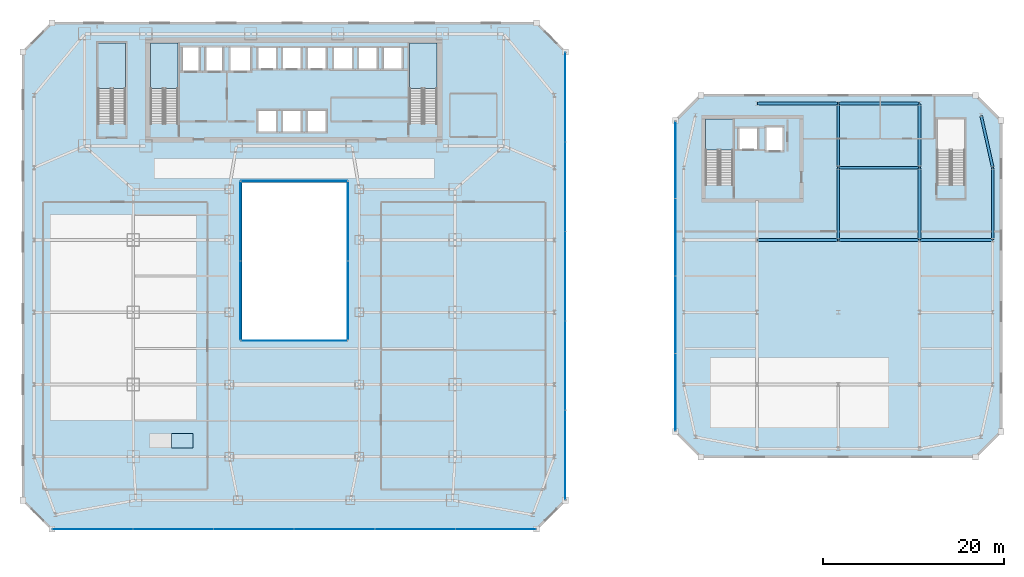
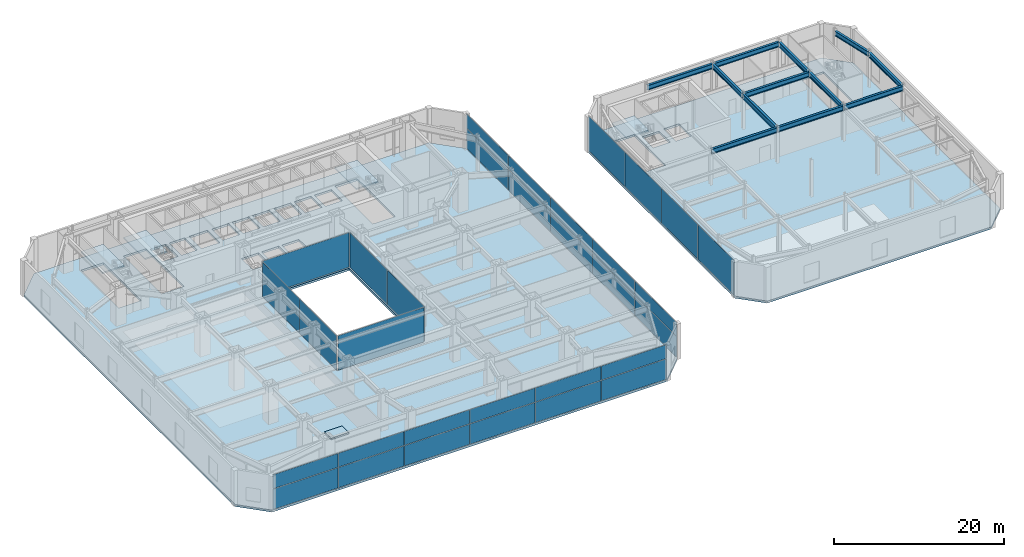
# One storey, part 37 of 51: 32 plates, 12 beams, 7 slabs, 12 elements without a shape of their own.
"""IFC4 building model written with IfcOpenShell, lengths in metres."""

from ifc_helpers import new_model, si_unit, direction, frame, origin, origin_2d, place, context, subcontext, project, spatial, polyline, rectangle, i_section, outline, extrude, material, layer, layer_set, material_profile, profile_set, type_object, element, aggregate, save


model = new_model("IFC4")

# Units and contexts
model_context = context("Model", 3, precision=1e-05, world=origin(), true_north=direction((0.0, 1.0)))
body_context = subcontext(model_context, "Body", "Model", "MODEL_VIEW")
ifc_project = project(units=[si_unit("LENGTHUNIT", "METRE"), si_unit("AREAUNIT", "SQUARE_METRE"), si_unit("VOLUMEUNIT", "CUBIC_METRE"), si_unit("PLANEANGLEUNIT", "RADIAN"), si_unit("MASSUNIT", "GRAM", prefix="KILO")], contexts=[model_context])

# Site, building, storey
site_placement = place(None, origin())
site = spatial("IfcSite", under=ifc_project, at=site_placement, CompositionType="ELEMENT")
building_placement = place(site_placement, origin())
building = spatial("IfcBuilding", under=site, at=building_placement, Name="Saevonmaru Cultural Tower", CompositionType="ELEMENT")
storey_placement = place(building_placement, frame((0.0, 0.0, 6.0)))
storey = spatial("IfcBuildingStorey", under=building, at=storey_placement, Name="L01", CompositionType="ELEMENT", Elevation=6.0)

# Beams
ifc_material_1 = material(Name="Steel SM355", Category="steel")
ifc_material_profile = material_profile(ifc_material_1, i_section(OverallWidth=0.300048828125, OverallDepth=0.699951171875, WebThickness=0.012939453125, FlangeThickness=0.02392578125, FilletRadius=0.02587890625, at=origin_2d()), Name="H-700x300x13x24")
ifc_profile_set = profile_set([ifc_material_profile], Name="Steel SM355")
beam_type = type_object("IfcBeamType", Name="BM-G-H700", PredefinedType="BEAM", material=ifc_profile_set)
for number, where, z_axis, x_axis, name in (
    (1, (81.260009765625, 32.0, 4.75), (1.0, 0.0, 0.0), (0.0, 1.0, 0.0), "L01 Library Girder EW-4-2"),
    (2, (90.260009765625, 32.0, 4.75), (1.0, 0.0, 0.0), (0.0, 1.0, 0.0), "L01 Library Girder EW-4-3"),
):
    element("IfcBeam", number, at=place(storey_placement, frame(where, z_axis=z_axis, x_axis=x_axis)), inside=storey, type_object=beam_type, Name=name, PredefinedType="BEAM", context=body_context, shape_type="SweptSolid", body=[
        extrude(i_section(OverallWidth=0.300048828125, OverallDepth=0.699951171875, WebThickness=0.012939453125, FlangeThickness=0.02392578125, FilletRadius=0.02587890625, at=origin_2d()), origin(), (0.0, 0.0, 1.0), 8.8798828125),
    ])
beam_1_placement = place(storey_placement, frame((99.260009765625, 32.0, 4.75), z_axis=(1.0, 0.0, 0.0), x_axis=(0.0, 1.0, 0.0)))
element("IfcBeam", 3, at=beam_1_placement, inside=storey, type_object=beam_type, Name="L01 Library Girder EW-4-4", PredefinedType="BEAM", context=body_context, shape_type="SweptSolid", body=[
    extrude(i_section(OverallWidth=0.300048828125, OverallDepth=0.699951171875, WebThickness=0.012939453125, FlangeThickness=0.02392578125, FilletRadius=0.02587890625, at=origin_2d()), origin(), (0.0, 0.0, 1.0), 7.97998046875),
])
for number, where, z_axis, x_axis, name in (
    (4, (90.260009765625, 40.0, 4.75), (1.0, 0.0, 0.0), (0.0, 1.0, 0.0), "L01 Library Girder EW-5-3"),
    (5, (81.260009765625, 47.10009765625, 4.75), (1.0, 0.0, 0.0), (0.0, 1.0, 0.0), "L01 Library Girder EW-6-2"),
    (6, (90.260009765625, 47.10009765625, 4.75), (1.0, 0.0, 0.0), (0.0, 1.0, 0.0), "L01 Library Girder EW-6-3"),
):
    element("IfcBeam", number, at=place(storey_placement, frame(where, z_axis=z_axis, x_axis=x_axis)), inside=storey, type_object=beam_type, Name=name, PredefinedType="BEAM", context=body_context, shape_type="SweptSolid", body=[
        extrude(i_section(OverallWidth=0.300048828125, OverallDepth=0.699951171875, WebThickness=0.012939453125, FlangeThickness=0.02392578125, FilletRadius=0.02587890625, at=origin_2d()), origin(), (0.0, 0.0, 1.0), 8.8798828125),
    ])
beam_2_placement = place(storey_placement, frame((90.199951171875, 32.06005859375, 4.75), z_axis=(0.0, 1.0, 0.0), x_axis=(-1.0, 0.0, 0.0)))
element("IfcBeam", 7, at=beam_2_placement, inside=storey, type_object=beam_type, Name="L01 Library Girder NS-3-4", PredefinedType="BEAM", context=body_context, shape_type="SweptSolid", body=[
    extrude(i_section(OverallWidth=0.300048828125, OverallDepth=0.699951171875, WebThickness=0.012939453125, FlangeThickness=0.02392578125, FilletRadius=0.02587890625, at=origin_2d()), origin(), (0.0, 0.0, 1.0), 7.8798828125),
])
beam_3_placement = place(storey_placement, frame((90.199951171875, 40.06005859375, 4.75), z_axis=(0.0, 1.0, 0.0), x_axis=(-1.0, 0.0, 0.0)))
element("IfcBeam", 8, at=beam_3_placement, inside=storey, type_object=beam_type, Name="L01 Library Girder NS-3-5", PredefinedType="BEAM", context=body_context, shape_type="SweptSolid", body=[
    extrude(i_section(OverallWidth=0.300048828125, OverallDepth=0.699951171875, WebThickness=0.012939453125, FlangeThickness=0.02392578125, FilletRadius=0.02587890625, at=origin_2d()), origin(), (0.0, 0.0, 1.0), 6.97998046875),
])
beam_4_placement = place(storey_placement, frame((99.199951171875, 32.06005859375, 4.75), z_axis=(0.0, 1.0, 0.0), x_axis=(-1.0, 0.0, 0.0)))
element("IfcBeam", 9, at=beam_4_placement, inside=storey, type_object=beam_type, Name="L01 Library Girder NS-4-4", PredefinedType="BEAM", context=body_context, shape_type="SweptSolid", body=[
    extrude(i_section(OverallWidth=0.300048828125, OverallDepth=0.699951171875, WebThickness=0.012939453125, FlangeThickness=0.02392578125, FilletRadius=0.02587890625, at=origin_2d()), origin(), (0.0, 0.0, 1.0), 7.8798828125),
])
beam_5_placement = place(storey_placement, frame((99.199951171875, 40.06005859375, 4.75), z_axis=(0.0, 1.0, 0.0), x_axis=(-1.0, 0.0, 0.0)))
element("IfcBeam", 10, at=beam_5_placement, inside=storey, type_object=beam_type, Name="L01 Library Girder NS-4-5", PredefinedType="BEAM", context=body_context, shape_type="SweptSolid", body=[
    extrude(i_section(OverallWidth=0.300048828125, OverallDepth=0.699951171875, WebThickness=0.012939453125, FlangeThickness=0.02392578125, FilletRadius=0.02587890625, at=origin_2d()), origin(), (0.0, 0.0, 1.0), 6.97998046875),
])
beam_6_placement = place(storey_placement, frame((107.300048828125, 32.06005859375, 4.75), z_axis=(0.0, 1.0, 0.0), x_axis=(-1.0, 0.0, 0.0)))
element("IfcBeam", 11, at=beam_6_placement, inside=storey, type_object=beam_type, Name="L01 Library Girder NS-5-4", PredefinedType="BEAM", context=body_context, shape_type="SweptSolid", body=[
    extrude(i_section(OverallWidth=0.300048828125, OverallDepth=0.699951171875, WebThickness=0.012939453125, FlangeThickness=0.02392578125, FilletRadius=0.02587890625, at=origin_2d()), origin(), (0.0, 0.0, 1.0), 7.8798828125),
])
beam_7_placement = place(storey_placement, frame((107.286865234375, 40.05859375, 4.75), z_axis=(-0.218701133908, 0.975791890737, 0.0), x_axis=(-0.975791890737, -0.218701133908, 0.0)))
element("IfcBeam", 12, at=beam_7_placement, inside=storey, type_object=beam_type, Name="L01 Library Girder NS-5-5", PredefinedType="BEAM", context=body_context, shape_type="SweptSolid", body=[
    extrude(i_section(OverallWidth=0.300048828125, OverallDepth=0.699951171875, WebThickness=0.012939453125, FlangeThickness=0.02392578125, FilletRadius=0.02587890625, at=origin_2d()), origin(), (0.0, 0.0, 1.0), 5.82373046875),
])

# Curtain wall, plate
ifc_material_2 = material(Name="Satin Bronze Anodised Aluminium", Category="aluminium")
curtain_wall_type_1 = type_object("IfcCurtainWallType", Name="CW-ATR-GLZ", PredefinedType="NOTDEFINED", material=ifc_material_2)
curtain_wall_1_placement = place(storey_placement, origin())
curtain_wall_1 = element("IfcCurtainWall", 13, at=curtain_wall_1_placement, inside=storey, type_object=curtain_wall_type_1, Name="L01 Vertical Atrium Glazed Smoke Screen 1", PredefinedType="NOTDEFINED")
ifc_material_3 = material(Name="Fire-Rated Laminated Atrium Glass", Category="glass")
ifc_layer_1 = layer(ifc_material_3, 0.031982421875, Name="Fire-Rated Laminated Atrium Glass")
ifc_layer_set_1 = layer_set([ifc_layer_1], Name="Fire-Rated Laminated Atrium Glass")
plate_type_1 = type_object("IfcPlateType", Name="PN-GLZ-ATR-INT", PredefinedType="CURTAIN_PANEL", material=ifc_layer_set_1)
plate_1_placement = place(storey_placement, frame((30.0, 20.85009765625, 0.06689453125), z_axis=(0.0, 0.0, 1.0), x_axis=(1.0, 0.0, 0.0)))
plate_1 = element("IfcPlate", 14, at=plate_1_placement, type_object=plate_type_1, Name="CW-ATR-L01-1 panel 1.1", PredefinedType="CURTAIN_PANEL", context=body_context, shape_type="SweptSolid", body=[
    extrude(rectangle(XDim=11.7109375, YDim=0.031982421875, at=origin_2d()), origin(), (0.0, 0.0, 1.0), 4.966064453125),
])
aggregate(curtain_wall_1, [plate_1])

# Curtain wall, plates
curtain_wall_2_placement = place(storey_placement, origin())
curtain_wall_2 = element("IfcCurtainWall", 15, at=curtain_wall_2_placement, inside=storey, type_object=curtain_wall_type_1, Name="L01 Vertical Atrium Glazed Smoke Screen 2", PredefinedType="NOTDEFINED")
plate_2_placement = place(storey_placement, frame((35.949951171875, 25.294921875, 0.06689453125), z_axis=(0.0, 0.0, 1.0), x_axis=(0.0, 1.0, 0.0)))
plate_2 = element("IfcPlate", 16, at=plate_2_placement, type_object=plate_type_1, Name="CW-ATR-L01-2 panel 1.1", PredefinedType="CURTAIN_PANEL", context=body_context, shape_type="SweptSolid", body=[
    extrude(rectangle(XDim=8.700927734375, YDim=0.031982421875, at=origin_2d()), origin(), (0.0, 0.0, 1.0), 4.966064453125),
])
plate_3_placement = place(storey_placement, frame((35.949951171875, 34.06494140625, 0.06689453125), z_axis=(0.0, 0.0, 1.0), x_axis=(0.0, 1.0, 0.0)))
plate_3 = element("IfcPlate", 17, at=plate_3_placement, type_object=plate_type_1, Name="CW-ATR-L01-2 panel 2.1", PredefinedType="CURTAIN_PANEL", context=body_context, shape_type="SweptSolid", body=[
    extrude(rectangle(XDim=8.700927734375, YDim=0.031982421875, at=origin_2d()), origin(), (0.0, 0.0, 1.0), 4.966064453125),
])
aggregate(curtain_wall_2, [plate_2, plate_3])

# Curtain wall, plate
curtain_wall_3_placement = place(storey_placement, origin())
curtain_wall_3 = element("IfcCurtainWall", 18, at=curtain_wall_3_placement, inside=storey, type_object=curtain_wall_type_1, Name="L01 Vertical Atrium Glazed Smoke Screen 3", PredefinedType="NOTDEFINED")
plate_4_placement = place(storey_placement, frame((30.0, 38.510009765625, 0.06689453125), z_axis=(0.0, 0.0, 1.0), x_axis=(-1.0, 0.0, 0.0)))
plate_4 = element("IfcPlate", 19, at=plate_4_placement, type_object=plate_type_1, Name="CW-ATR-L01-3 panel 1.1", PredefinedType="CURTAIN_PANEL", context=body_context, shape_type="SweptSolid", body=[
    extrude(rectangle(XDim=11.7109375, YDim=0.031982421875, at=origin_2d()), origin(), (0.0, 0.0, 1.0), 4.966064453125),
])
aggregate(curtain_wall_3, [plate_4])

# Curtain wall, plates
curtain_wall_4_placement = place(storey_placement, origin())
curtain_wall_4 = element("IfcCurtainWall", 20, at=curtain_wall_4_placement, inside=storey, type_object=curtain_wall_type_1, Name="L01 Vertical Atrium Glazed Smoke Screen 4", PredefinedType="NOTDEFINED")
plate_5_placement = place(storey_placement, frame((24.050048828125, 34.06494140625, 0.06689453125), z_axis=(0.0, 0.0, 1.0), x_axis=(0.0, -1.0, 0.0)))
plate_5 = element("IfcPlate", 21, at=plate_5_placement, type_object=plate_type_1, Name="CW-ATR-L01-4 panel 1.1", PredefinedType="CURTAIN_PANEL", context=body_context, shape_type="SweptSolid", body=[
    extrude(rectangle(XDim=8.700927734375, YDim=0.031982421875, at=origin_2d()), origin(), (0.0, 0.0, 1.0), 4.966064453125),
])
plate_6_placement = place(storey_placement, frame((24.050048828125, 25.294921875, 0.06689453125), z_axis=(0.0, 0.0, 1.0), x_axis=(0.0, -1.0, 0.0)))
plate_6 = element("IfcPlate", 22, at=plate_6_placement, type_object=plate_type_1, Name="CW-ATR-L01-4 panel 2.1", PredefinedType="CURTAIN_PANEL", context=body_context, shape_type="SweptSolid", body=[
    extrude(rectangle(XDim=8.700927734375, YDim=0.031982421875, at=origin_2d()), origin(), (0.0, 0.0, 1.0), 4.966064453125),
])
aggregate(curtain_wall_4, [plate_5, plate_6])

curtain_wall_type_2 = type_object("IfcCurtainWallType", Name="CW-POD-GLZ", PredefinedType="NOTDEFINED", material=ifc_material_2)
curtain_wall_5_placement = place(storey_placement, origin())
curtain_wall_5 = element("IfcCurtainWall", 23, at=curtain_wall_5_placement, inside=storey, type_object=curtain_wall_type_2, Name="L01 South Grand Foyer Curtain Wall", PredefinedType="NOTDEFINED")
ifc_material_4 = material(Name="Triple Silver Low-E Insulating Glass", Category="glass")
ifc_layer_2 = layer(ifc_material_4, 0.035888671875, Name="Triple Silver Low-E Insulating Glass")
ifc_layer_set_2 = layer_set([ifc_layer_2], Name="Triple Silver Low-E Insulating Glass")
plate_type_2 = type_object("IfcPlateType", Name="PN-GLZ-IGU", PredefinedType="CURTAIN_PANEL", material=ifc_layer_set_2)
plate_7_placement = place(storey_placement, frame((7.716552734375, 0.0, 0.067138671875), z_axis=(0.0, 0.0, 1.0), x_axis=(1.0, 0.0, 0.0)))
plate_7 = element("IfcPlate", 24, at=plate_7_placement, type_object=plate_type_2, Name="CW-POD-S-L01 panel 1.1", PredefinedType="CURTAIN_PANEL", context=body_context, shape_type="SweptSolid", body=[
    extrude(rectangle(XDim=8.84423828125, YDim=0.035888671875, at=origin_2d()), origin(), (0.0, 0.0, 1.0), 2.8984375),
])
plate_8_placement = place(storey_placement, frame((7.716552734375, 0.0, 3.034423828125), z_axis=(0.0, 0.0, 1.0), x_axis=(1.0, 0.0, 0.0)))
plate_8 = element("IfcPlate", 25, at=plate_8_placement, type_object=plate_type_2, Name="CW-POD-S-L01 panel 1.2", PredefinedType="CURTAIN_PANEL", context=body_context, shape_type="SweptSolid", body=[
    extrude(rectangle(XDim=8.84423828125, YDim=0.035888671875, at=origin_2d()), origin(), (0.0, 0.0, 1.0), 1.99853515625),
])
plate_9_placement = place(storey_placement, frame((16.6298828125, 0.0, 0.067138671875), z_axis=(0.0, 0.0, 1.0), x_axis=(1.0, 0.0, 0.0)))
plate_9 = element("IfcPlate", 26, at=plate_9_placement, type_object=plate_type_2, Name="CW-POD-S-L01 panel 2.1", PredefinedType="CURTAIN_PANEL", context=body_context, shape_type="SweptSolid", body=[
    extrude(rectangle(XDim=8.84423828125, YDim=0.035888671875, at=origin_2d()), origin(), (0.0, 0.0, 1.0), 2.8984375),
])
plate_10_placement = place(storey_placement, frame((16.6298828125, 0.0, 3.034423828125), z_axis=(0.0, 0.0, 1.0), x_axis=(1.0, 0.0, 0.0)))
plate_10 = element("IfcPlate", 27, at=plate_10_placement, type_object=plate_type_2, Name="CW-POD-S-L01 panel 2.2", PredefinedType="CURTAIN_PANEL", context=body_context, shape_type="SweptSolid", body=[
    extrude(rectangle(XDim=8.84423828125, YDim=0.035888671875, at=origin_2d()), origin(), (0.0, 0.0, 1.0), 1.99853515625),
])
plate_11_placement = place(storey_placement, frame((25.543212890625, 0.0, 0.067138671875), z_axis=(0.0, 0.0, 1.0), x_axis=(1.0, 0.0, 0.0)))
plate_11 = element("IfcPlate", 28, at=plate_11_placement, type_object=plate_type_2, Name="CW-POD-S-L01 panel 3.1", PredefinedType="CURTAIN_PANEL", context=body_context, shape_type="SweptSolid", body=[
    extrude(rectangle(XDim=8.84423828125, YDim=0.035888671875, at=origin_2d()), origin(), (0.0, 0.0, 1.0), 2.8984375),
])
plate_12_placement = place(storey_placement, frame((25.543212890625, 0.0, 3.034423828125), z_axis=(0.0, 0.0, 1.0), x_axis=(1.0, 0.0, 0.0)))
plate_12 = element("IfcPlate", 29, at=plate_12_placement, type_object=plate_type_2, Name="CW-POD-S-L01 panel 3.2", PredefinedType="CURTAIN_PANEL", context=body_context, shape_type="SweptSolid", body=[
    extrude(rectangle(XDim=8.84423828125, YDim=0.035888671875, at=origin_2d()), origin(), (0.0, 0.0, 1.0), 1.99853515625),
])
plate_13_placement = place(storey_placement, frame((34.456787109375, 0.0, 0.067138671875), z_axis=(0.0, 0.0, 1.0), x_axis=(1.0, 0.0, 0.0)))
plate_13 = element("IfcPlate", 30, at=plate_13_placement, type_object=plate_type_2, Name="CW-POD-S-L01 panel 4.1", PredefinedType="CURTAIN_PANEL", context=body_context, shape_type="SweptSolid", body=[
    extrude(rectangle(XDim=8.84423828125, YDim=0.035888671875, at=origin_2d()), origin(), (0.0, 0.0, 1.0), 2.8984375),
])
plate_14_placement = place(storey_placement, frame((34.456787109375, 0.0, 3.034423828125), z_axis=(0.0, 0.0, 1.0), x_axis=(1.0, 0.0, 0.0)))
plate_14 = element("IfcPlate", 31, at=plate_14_placement, type_object=plate_type_2, Name="CW-POD-S-L01 panel 4.2", PredefinedType="CURTAIN_PANEL", context=body_context, shape_type="SweptSolid", body=[
    extrude(rectangle(XDim=8.84423828125, YDim=0.035888671875, at=origin_2d()), origin(), (0.0, 0.0, 1.0), 1.99853515625),
])
plate_15_placement = place(storey_placement, frame((43.3701171875, 0.0, 0.067138671875), z_axis=(0.0, 0.0, 1.0), x_axis=(1.0, 0.0, 0.0)))
plate_15 = element("IfcPlate", 32, at=plate_15_placement, type_object=plate_type_2, Name="CW-POD-S-L01 panel 5.1", PredefinedType="CURTAIN_PANEL", context=body_context, shape_type="SweptSolid", body=[
    extrude(rectangle(XDim=8.84423828125, YDim=0.035888671875, at=origin_2d()), origin(), (0.0, 0.0, 1.0), 2.8984375),
])
plate_16_placement = place(storey_placement, frame((43.3701171875, 0.0, 3.034423828125), z_axis=(0.0, 0.0, 1.0), x_axis=(1.0, 0.0, 0.0)))
plate_16 = element("IfcPlate", 33, at=plate_16_placement, type_object=plate_type_2, Name="CW-POD-S-L01 panel 5.2", PredefinedType="CURTAIN_PANEL", context=body_context, shape_type="SweptSolid", body=[
    extrude(rectangle(XDim=8.84423828125, YDim=0.035888671875, at=origin_2d()), origin(), (0.0, 0.0, 1.0), 1.99853515625),
])
plate_17_placement = place(storey_placement, frame((52.283447265625, 0.0, 0.067138671875), z_axis=(0.0, 0.0, 1.0), x_axis=(1.0, 0.0, 0.0)))
plate_17 = element("IfcPlate", 34, at=plate_17_placement, type_object=plate_type_2, Name="CW-POD-S-L01 panel 6.1", PredefinedType="CURTAIN_PANEL", context=body_context, shape_type="SweptSolid", body=[
    extrude(rectangle(XDim=8.84423828125, YDim=0.035888671875, at=origin_2d()), origin(), (0.0, 0.0, 1.0), 2.8984375),
])
plate_18_placement = place(storey_placement, frame((52.283447265625, 0.0, 3.034423828125), z_axis=(0.0, 0.0, 1.0), x_axis=(1.0, 0.0, 0.0)))
plate_18 = element("IfcPlate", 35, at=plate_18_placement, type_object=plate_type_2, Name="CW-POD-S-L01 panel 6.2", PredefinedType="CURTAIN_PANEL", context=body_context, shape_type="SweptSolid", body=[
    extrude(rectangle(XDim=8.84423828125, YDim=0.035888671875, at=origin_2d()), origin(), (0.0, 0.0, 1.0), 1.99853515625),
])
aggregate(curtain_wall_5, [plate_7, plate_8, plate_9, plate_10, plate_11, plate_12, plate_13, plate_14, plate_15, plate_16, plate_17, plate_18])

curtain_wall_6_placement = place(storey_placement, origin())
curtain_wall_6 = element("IfcCurtainWall", 36, at=curtain_wall_6_placement, inside=storey, type_object=curtain_wall_type_2, Name="L01 Saevon Plaza Curtain Wall", PredefinedType="NOTDEFINED")
plate_19_placement = place(storey_placement, frame((60.0, 8.2080078125, 0.067138671875), z_axis=(0.0, 0.0, 1.0), x_axis=(0.0, 1.0, 0.0)))
plate_19 = element("IfcPlate", 37, at=plate_19_placement, type_object=plate_type_2, Name="CW-POD-E-L01 panel 1.1", PredefinedType="CURTAIN_PANEL", context=body_context, shape_type="SweptSolid", body=[
    extrude(rectangle(XDim=9.826904296875, YDim=0.035888671875, at=origin_2d()), origin(), (0.0, 0.0, 1.0), 2.8984375),
])
plate_20_placement = place(storey_placement, frame((60.0, 8.2080078125, 3.034423828125), z_axis=(0.0, 0.0, 1.0), x_axis=(0.0, 1.0, 0.0)))
plate_20 = element("IfcPlate", 38, at=plate_20_placement, type_object=plate_type_2, Name="CW-POD-E-L01 panel 1.2", PredefinedType="CURTAIN_PANEL", context=body_context, shape_type="SweptSolid", body=[
    extrude(rectangle(XDim=9.826904296875, YDim=0.035888671875, at=origin_2d()), origin(), (0.0, 0.0, 1.0), 1.99853515625),
])
plate_21_placement = place(storey_placement, frame((60.0, 18.10400390625, 0.067138671875), z_axis=(0.0, 0.0, 1.0), x_axis=(0.0, 1.0, 0.0)))
plate_21 = element("IfcPlate", 39, at=plate_21_placement, type_object=plate_type_2, Name="CW-POD-E-L01 panel 2.1", PredefinedType="CURTAIN_PANEL", context=body_context, shape_type="SweptSolid", body=[
    extrude(rectangle(XDim=9.826904296875, YDim=0.035888671875, at=origin_2d()), origin(), (0.0, 0.0, 1.0), 2.8984375),
])
plate_22_placement = place(storey_placement, frame((60.0, 18.10400390625, 3.034423828125), z_axis=(0.0, 0.0, 1.0), x_axis=(0.0, 1.0, 0.0)))
plate_22 = element("IfcPlate", 40, at=plate_22_placement, type_object=plate_type_2, Name="CW-POD-E-L01 panel 2.2", PredefinedType="CURTAIN_PANEL", context=body_context, shape_type="SweptSolid", body=[
    extrude(rectangle(XDim=9.826904296875, YDim=0.035888671875, at=origin_2d()), origin(), (0.0, 0.0, 1.0), 1.99853515625),
])
plate_23_placement = place(storey_placement, frame((60.0, 28.0, 0.067138671875), z_axis=(0.0, 0.0, 1.0), x_axis=(0.0, 1.0, 0.0)))
plate_23 = element("IfcPlate", 41, at=plate_23_placement, type_object=plate_type_2, Name="CW-POD-E-L01 panel 3.1", PredefinedType="CURTAIN_PANEL", context=body_context, shape_type="SweptSolid", body=[
    extrude(rectangle(XDim=9.826904296875, YDim=0.035888671875, at=origin_2d()), origin(), (0.0, 0.0, 1.0), 2.8984375),
])
plate_24_placement = place(storey_placement, frame((60.0, 28.0, 3.034423828125), z_axis=(0.0, 0.0, 1.0), x_axis=(0.0, 1.0, 0.0)))
plate_24 = element("IfcPlate", 42, at=plate_24_placement, type_object=plate_type_2, Name="CW-POD-E-L01 panel 3.2", PredefinedType="CURTAIN_PANEL", context=body_context, shape_type="SweptSolid", body=[
    extrude(rectangle(XDim=9.826904296875, YDim=0.035888671875, at=origin_2d()), origin(), (0.0, 0.0, 1.0), 1.99853515625),
])
plate_25_placement = place(storey_placement, frame((60.0, 37.89599609375, 0.067138671875), z_axis=(0.0, 0.0, 1.0), x_axis=(0.0, 1.0, 0.0)))
plate_25 = element("IfcPlate", 43, at=plate_25_placement, type_object=plate_type_2, Name="CW-POD-E-L01 panel 4.1", PredefinedType="CURTAIN_PANEL", context=body_context, shape_type="SweptSolid", body=[
    extrude(rectangle(XDim=9.826904296875, YDim=0.035888671875, at=origin_2d()), origin(), (0.0, 0.0, 1.0), 2.8984375),
])
plate_26_placement = place(storey_placement, frame((60.0, 37.89599609375, 3.034423828125), z_axis=(0.0, 0.0, 1.0), x_axis=(0.0, 1.0, 0.0)))
plate_26 = element("IfcPlate", 44, at=plate_26_placement, type_object=plate_type_2, Name="CW-POD-E-L01 panel 4.2", PredefinedType="CURTAIN_PANEL", context=body_context, shape_type="SweptSolid", body=[
    extrude(rectangle(XDim=9.826904296875, YDim=0.035888671875, at=origin_2d()), origin(), (0.0, 0.0, 1.0), 1.99853515625),
])
plate_27_placement = place(storey_placement, frame((60.0, 47.7919921875, 0.067138671875), z_axis=(0.0, 0.0, 1.0), x_axis=(0.0, 1.0, 0.0)))
plate_27 = element("IfcPlate", 45, at=plate_27_placement, type_object=plate_type_2, Name="CW-POD-E-L01 panel 5.1", PredefinedType="CURTAIN_PANEL", context=body_context, shape_type="SweptSolid", body=[
    extrude(rectangle(XDim=9.826904296875, YDim=0.035888671875, at=origin_2d()), origin(), (0.0, 0.0, 1.0), 2.8984375),
])
plate_28_placement = place(storey_placement, frame((60.0, 47.7919921875, 3.034423828125), z_axis=(0.0, 0.0, 1.0), x_axis=(0.0, 1.0, 0.0)))
plate_28 = element("IfcPlate", 46, at=plate_28_placement, type_object=plate_type_2, Name="CW-POD-E-L01 panel 5.2", PredefinedType="CURTAIN_PANEL", context=body_context, shape_type="SweptSolid", body=[
    extrude(rectangle(XDim=9.826904296875, YDim=0.035888671875, at=origin_2d()), origin(), (0.0, 0.0, 1.0), 1.99853515625),
])
aggregate(curtain_wall_6, [plate_19, plate_20, plate_21, plate_22, plate_23, plate_24, plate_25, plate_26, plate_27, plate_28])

curtain_wall_type_3 = type_object("IfcCurtainWallType", Name="CW-LIB-GLZ", PredefinedType="NOTDEFINED", material=ifc_material_2)
curtain_wall_7_placement = place(storey_placement, origin())
curtain_wall_7 = element("IfcCurtainWall", 47, at=curtain_wall_7_placement, inside=storey, type_object=curtain_wall_type_3, Name="L01 Central Library Reading Hall Curtain Wall 8", PredefinedType="NOTDEFINED")
plate_29_placement = place(storey_placement, frame((72.199951171875, 40.85498046875, 0.06689453125), z_axis=(0.0, 0.0, 1.0), x_axis=(0.0, -1.0, 0.0)))
plate_29 = element("IfcPlate", 48, at=plate_29_placement, type_object=plate_type_2, Name="CW-LIB-8-L01 panel 1.1", PredefinedType="CURTAIN_PANEL", context=body_context, shape_type="SweptSolid", body=[
    extrude(rectangle(XDim=8.5009765625, YDim=0.035888671875, at=origin_2d()), origin(), (0.0, 0.0, 1.0), 4.966064453125),
])
plate_30_placement = place(storey_placement, frame((72.199951171875, 32.284912109375, 0.06689453125), z_axis=(0.0, 0.0, 1.0), x_axis=(0.0, -1.0, 0.0)))
plate_30 = element("IfcPlate", 49, at=plate_30_placement, type_object=plate_type_2, Name="CW-LIB-8-L01 panel 2.1", PredefinedType="CURTAIN_PANEL", context=body_context, shape_type="SweptSolid", body=[
    extrude(rectangle(XDim=8.5009765625, YDim=0.035888671875, at=origin_2d()), origin(), (0.0, 0.0, 1.0), 4.966064453125),
])
plate_31_placement = place(storey_placement, frame((72.199951171875, 23.715087890625, 0.06689453125), z_axis=(0.0, 0.0, 1.0), x_axis=(0.0, -1.0, 0.0)))
plate_31 = element("IfcPlate", 50, at=plate_31_placement, type_object=plate_type_2, Name="CW-LIB-8-L01 panel 3.1", PredefinedType="CURTAIN_PANEL", context=body_context, shape_type="SweptSolid", body=[
    extrude(rectangle(XDim=8.5009765625, YDim=0.035888671875, at=origin_2d()), origin(), (0.0, 0.0, 1.0), 4.966064453125),
])
plate_32_placement = place(storey_placement, frame((72.199951171875, 15.14501953125, 0.06689453125), z_axis=(0.0, 0.0, 1.0), x_axis=(0.0, -1.0, 0.0)))
plate_32 = element("IfcPlate", 51, at=plate_32_placement, type_object=plate_type_2, Name="CW-LIB-8-L01 panel 4.1", PredefinedType="CURTAIN_PANEL", context=body_context, shape_type="SweptSolid", body=[
    extrude(rectangle(XDim=8.5009765625, YDim=0.035888671875, at=origin_2d()), origin(), (0.0, 0.0, 1.0), 4.966064453125),
])
aggregate(curtain_wall_7, [plate_29, plate_30, plate_31, plate_32])

# Ramp, slab
ifc_material_5 = material(Name="Concrete C40/50", Category="concrete")
ramp_type = type_object("IfcRampType", Name="RMP-PED-1600", PredefinedType="STRAIGHT_RUN_RAMP", material=ifc_material_5)
ramp_placement = place(storey_placement, origin())
ramp = element("IfcRamp", 52, at=ramp_placement, inside=storey, type_object=ramp_type, Name="L01 Barrier-Free Gallery Dais Ramp PR-1", PredefinedType="STRAIGHT_RUN_RAMP")
ifc_layer_3 = layer(ifc_material_5, 0.199951171875, Name="Concrete C40/50")
ifc_layer_set_3 = layer_set([ifc_layer_3], Name="Concrete C40/50")
slab_type_1 = type_object("IfcSlabType", Name="SL-DAIS-200", PredefinedType="LANDING", material=ifc_layer_set_3)
slab_1_placement = place(storey_placement, origin())
slab_1 = element("IfcSlab", 53, at=slab_1_placement, type_object=slab_type_1, Name="L01 Gallery Exhibition Dais Landing 1", PredefinedType="LANDING", context=body_context, shape_type="SweptSolid", body=[
    extrude(outline(polyline([(16.39990234375, 9.0), (18.800048828125, 9.0), (18.800048828125, 10.60009765625), (16.39990234375, 10.60009765625), (16.39990234375, 9.0)])), origin(), (0.0, 0.0, 1.0), 0.199951171875),
])
aggregate(ramp, [slab_1])

# Slabs
ifc_layer_4 = layer(ifc_material_5, 0.300048828125, Name="Concrete C40/50")
ifc_layer_set_4 = layer_set([ifc_layer_4], Name="Concrete C40/50")
slab_type_2 = type_object("IfcSlabType", Name="SL-FLR-300", PredefinedType="FLOOR", material=ifc_layer_set_4)
slab_2_placement = place(storey_placement, frame((0.0, 0.0, -0.300048828125)))
element("IfcSlab", 54, at=slab_2_placement, inside=storey, type_object=slab_type_2, Name="L01 Tower Structural Floor Slab", PredefinedType="FLOOR", context=body_context, shape_type="SweptSolid", body=[
    extrude(outline(polyline([(0.0, 3.199951171875), (3.199951171875, 0.0), (56.800048828125, 0.0), (60.0, 3.199951171875), (60.0, 52.800048828125), (56.800048828125, 56.0), (3.199951171875, 56.0), (0.0, 52.800048828125), (0.0, 3.199951171875)]), holes=[polyline([(45.800048828125, 44.875), (42.75, 44.875), (42.75, 53.800048828125), (45.800048828125, 53.800048828125), (45.800048828125, 44.875)]), polyline([(39.75, 50.800048828125), (39.75, 53.39990234375), (42.050048828125, 53.39990234375), (42.050048828125, 50.800048828125), (39.75, 50.800048828125)]), polyline([(37.0, 50.800048828125), (37.0, 53.39990234375), (39.300048828125, 53.39990234375), (39.300048828125, 50.800048828125), (37.0, 50.800048828125)]), polyline([(34.25, 50.800048828125), (34.25, 53.39990234375), (36.550048828125, 53.39990234375), (36.550048828125, 50.800048828125), (34.25, 50.800048828125)]), polyline([(24.199951171875, 21.0), (24.199951171875, 38.360107421875), (35.800048828125, 38.360107421875), (35.800048828125, 21.0), (24.199951171875, 21.0)]), polyline([(31.35009765625, 50.800048828125), (31.35009765625, 53.39990234375), (33.64990234375, 53.39990234375), (33.64990234375, 50.800048828125), (31.35009765625, 50.800048828125)]), polyline([(31.35009765625, 43.85009765625), (31.35009765625, 46.449951171875), (33.64990234375, 46.449951171875), (33.64990234375, 43.85009765625), (31.35009765625, 43.85009765625)]), polyline([(28.60009765625, 43.85009765625), (28.60009765625, 46.449951171875), (30.89990234375, 46.449951171875), (30.89990234375, 43.85009765625), (28.60009765625, 43.85009765625)]), polyline([(28.60009765625, 50.800048828125), (28.60009765625, 53.39990234375), (30.89990234375, 53.39990234375), (30.89990234375, 50.800048828125), (28.60009765625, 50.800048828125)]), polyline([(25.85009765625, 50.800048828125), (25.85009765625, 53.39990234375), (28.14990234375, 53.39990234375), (28.14990234375, 50.800048828125), (25.85009765625, 50.800048828125)]), polyline([(25.85009765625, 43.85009765625), (25.85009765625, 46.449951171875), (28.14990234375, 46.449951171875), (28.14990234375, 43.85009765625), (25.85009765625, 43.85009765625)]), polyline([(22.800048828125, 50.550048828125), (22.800048828125, 53.449951171875), (25.300048828125, 53.449951171875), (25.300048828125, 50.550048828125), (22.800048828125, 50.550048828125)]), polyline([(20.10009765625, 50.550048828125), (20.10009765625, 53.449951171875), (22.199951171875, 53.449951171875), (22.199951171875, 50.550048828125), (20.10009765625, 50.550048828125)]), polyline([(17.5, 50.550048828125), (17.5, 53.449951171875), (19.60009765625, 53.449951171875), (19.60009765625, 50.550048828125), (17.5, 50.550048828125)]), polyline([(17.14990234375, 44.875), (14.10009765625, 44.875), (14.10009765625, 53.800048828125), (17.14990234375, 53.800048828125), (17.14990234375, 44.875)]), polyline([(11.35009765625, 44.875), (8.300048828125, 44.875), (8.300048828125, 53.800048828125), (11.35009765625, 53.800048828125), (11.35009765625, 44.875)])]), origin(), (0.0, 0.0, 1.0), 0.300048828125),
])
slab_3_placement = place(storey_placement, frame((0.0, 0.0, -0.300048828125)))
element("IfcSlab", 55, at=slab_3_placement, inside=storey, type_object=slab_type_2, Name="L01 Central Library Structural Floor Slab", PredefinedType="FLOOR", context=body_context, shape_type="SweptSolid", body=[
    extrude(outline(polyline([(72.199951171875, 10.800048828125), (75.0, 8.0), (105.39990234375, 8.0), (108.199951171875, 10.800048828125), (108.199951171875, 45.199951171875), (105.39990234375, 48.0), (75.0, 48.0), (72.199951171875, 45.199951171875), (72.199951171875, 10.800048828125)]), holes=[polyline([(101.14990234375, 45.39990234375), (104.199951171875, 45.39990234375), (104.199951171875, 38.074951171875), (101.14990234375, 38.074951171875), (101.14990234375, 45.39990234375)]), polyline([(84.199951171875, 44.64990234375), (84.199951171875, 41.75), (82.10009765625, 41.75), (82.10009765625, 44.64990234375), (84.199951171875, 44.64990234375)]), polyline([(81.39990234375, 44.5), (81.39990234375, 41.89990234375), (79.10009765625, 41.89990234375), (79.10009765625, 44.5), (81.39990234375, 44.5)]), polyline([(75.5, 45.39990234375), (78.550048828125, 45.39990234375), (78.550048828125, 38.074951171875), (75.5, 38.074951171875), (75.5, 45.39990234375)])]), origin(), (0.0, 0.0, 1.0), 0.300048828125),
])

# Stair, slab
stair_type = type_object("IfcStairType", Name="STR-DOGLEG-RC", PredefinedType="HALF_TURN_STAIR", material=ifc_material_5)
stair_1_placement = place(storey_placement, origin())
stair_1 = element("IfcStair", 56, at=stair_1_placement, inside=storey, type_object=stair_type, Name="L01 Protected exit stair LST-1", PredefinedType="HALF_TURN_STAIR")
ifc_layer_5 = layer(ifc_material_5, 0.199951171875, Name="Concrete C40/50")
ifc_layer_set_5 = layer_set([ifc_layer_5], Name="Concrete C40/50")
slab_type_3 = type_object("IfcSlabType", Name="SL-STAIR-LANDING", PredefinedType="LANDING", material=ifc_layer_set_5)
slab_4_placement = place(storey_placement, frame((0.0, 0.0, 2.5)))
slab_4 = element("IfcSlab", 57, at=slab_4_placement, type_object=slab_type_3, Name="LST-1-L01 landing 1", PredefinedType="LANDING", context=body_context, shape_type="SweptSolid", body=[
    extrude(outline(polyline([(78.550048828125, 41.969970703125), (78.550048828125, 45.39990234375), (75.5, 45.39990234375), (75.5, 41.969970703125), (78.550048828125, 41.969970703125)])), origin(), (0.0, 0.0, 1.0), 0.199951171875),
])
aggregate(stair_1, [slab_4])

stair_2_placement = place(storey_placement, origin())
stair_2 = element("IfcStair", 58, at=stair_2_placement, inside=storey, type_object=stair_type, Name="L01 Protected exit stair ST-1", PredefinedType="HALF_TURN_STAIR")
slab_5_placement = place(storey_placement, frame((0.0, 0.0, 2.5)))
slab_5 = element("IfcSlab", 59, at=slab_5_placement, type_object=slab_type_3, Name="ST-1-L01 landing 1", PredefinedType="LANDING", context=body_context, shape_type="SweptSolid", body=[
    extrude(outline(polyline([(17.14990234375, 48.77001953125), (17.14990234375, 53.800048828125), (14.10009765625, 53.800048828125), (14.10009765625, 48.77001953125), (17.14990234375, 48.77001953125)])), origin(), (0.0, 0.0, 1.0), 0.199951171875),
])
aggregate(stair_2, [slab_5])

stair_3_placement = place(storey_placement, origin())
stair_3 = element("IfcStair", 60, at=stair_3_placement, inside=storey, type_object=stair_type, Name="L01 Protected exit stair ST-2", PredefinedType="HALF_TURN_STAIR")
slab_6_placement = place(storey_placement, frame((0.0, 0.0, 2.5)))
slab_6 = element("IfcSlab", 61, at=slab_6_placement, type_object=slab_type_3, Name="ST-2-L01 landing 1", PredefinedType="LANDING", context=body_context, shape_type="SweptSolid", body=[
    extrude(outline(polyline([(45.800048828125, 48.77001953125), (45.800048828125, 53.800048828125), (42.75, 53.800048828125), (42.75, 48.77001953125), (45.800048828125, 48.77001953125)])), origin(), (0.0, 0.0, 1.0), 0.199951171875),
])
aggregate(stair_3, [slab_6])

stair_4_placement = place(storey_placement, origin())
stair_4 = element("IfcStair", 62, at=stair_4_placement, inside=storey, type_object=stair_type, Name="L01 Protected exit stair ST-3", PredefinedType="HALF_TURN_STAIR")
slab_7_placement = place(storey_placement, frame((0.0, 0.0, 2.5)))
slab_7 = element("IfcSlab", 63, at=slab_7_placement, type_object=slab_type_3, Name="ST-3-L01 landing 1", PredefinedType="LANDING", context=body_context, shape_type="SweptSolid", body=[
    extrude(outline(polyline([(11.35009765625, 48.77001953125), (11.35009765625, 53.800048828125), (8.300048828125, 53.800048828125), (8.300048828125, 48.77001953125), (11.35009765625, 48.77001953125)])), origin(), (0.0, 0.0, 1.0), 0.199951171875),
])
aggregate(stair_4, [slab_7])

save(model, "model.ifc")
